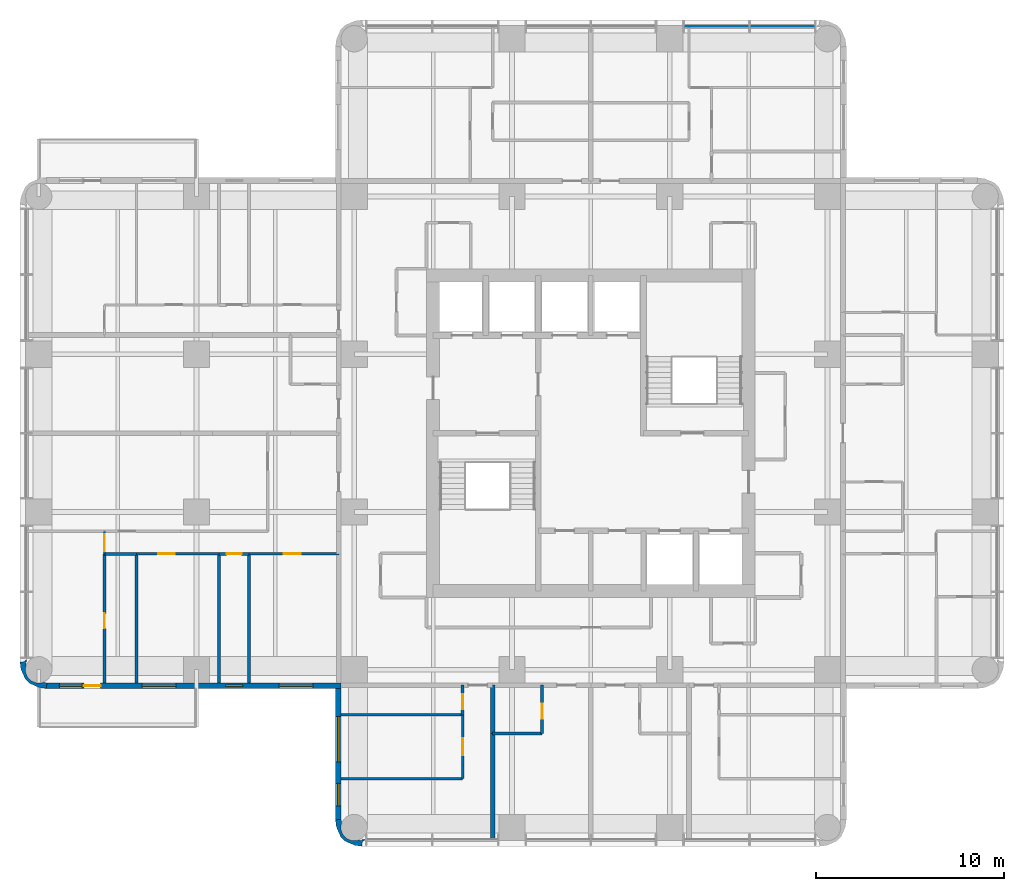
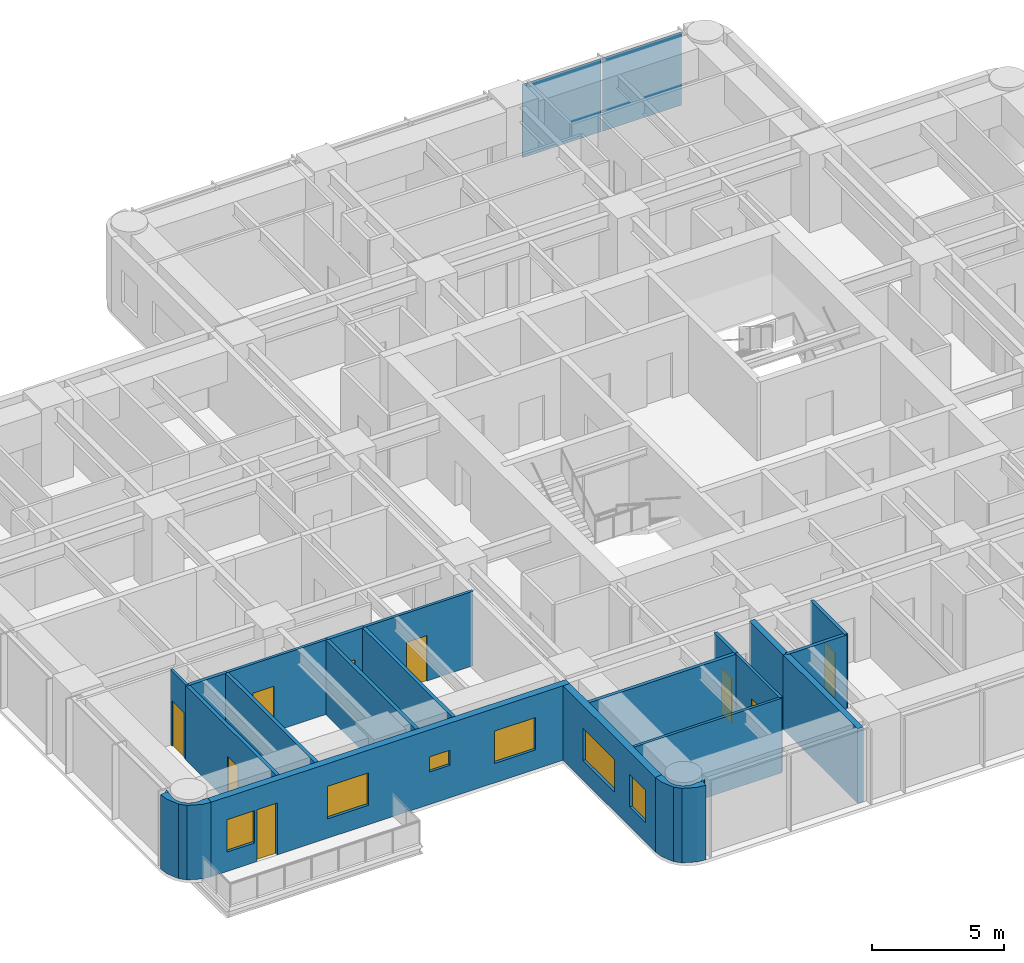
# One storey, part 4 of 11: 21 walls, 9 doors, 6 windows, 2 plates, 15 openings, 1 element without a shape of its own.
"""IFC4 building model written with IfcOpenShell, lengths in metres."""

from ifc_helpers import new_model, si_unit, direction, frame, frame_2d, origin, origin_2d, place, context, subcontext, project, spatial, polyline, rectangle, outline, extrude, material, layer, layer_set, type_object, element, fill, aggregate, save


model = new_model("IFC4")

# Units and contexts
model_context = context("Model", 3, precision=1e-05, world=origin(), true_north=direction((0.0, 1.0)))
body_context = subcontext(model_context, "Body", "Model", "MODEL_VIEW")
ifc_project = project(units=[si_unit("LENGTHUNIT", "METRE"), si_unit("AREAUNIT", "SQUARE_METRE"), si_unit("VOLUMEUNIT", "CUBIC_METRE"), si_unit("PLANEANGLEUNIT", "RADIAN"), si_unit("MASSUNIT", "GRAM", prefix="KILO")], contexts=[model_context])

# Site, building, storey
site_placement = place(None, origin())
site = spatial("IfcSite", under=ifc_project, at=site_placement, CompositionType="ELEMENT")
building_placement = place(site_placement, origin())
building = spatial("IfcBuilding", under=site, at=building_placement, Name="Torre Alcanfor", CompositionType="ELEMENT")
storey_placement = place(building_placement, frame((0.0, 0.0, 237.300048828125)))
storey = spatial("IfcBuildingStorey", under=building, at=storey_placement, Name="L62", CompositionType="ELEMENT", Elevation=237.300048828125)

# Curtain wall, plates
ifc_material_1 = material(Name="Aluminium and glass", Category="aluminium")
curtain_wall_type = type_object("IfcCurtainWallType", Name="CW-A unitised apartment glazing with vertical FIN", PredefinedType="NOTDEFINED", material=ifc_material_1)
curtain_wall_placement = place(storey_placement, origin())
curtain_wall = element("IfcCurtainWall", 1, at=curtain_wall_placement, inside=storey, type_object=curtain_wall_type, Name="Curtain wall CW-A L62 11", PredefinedType="NOTDEFINED")
ifc_material_2 = material(Name="Glass", Category="glass")
ifc_layer_1 = layer(ifc_material_2, 0.028076171875)
ifc_layer_set_1 = layer_set([ifc_layer_1], Name="CW-A clear double glazed unit")
plate_type = type_object("IfcPlateType", Name="CW-A clear double glazed unit", PredefinedType="CURTAIN_PANEL", material=ifc_layer_set_1)
plate_1_placement = place(storey_placement, frame((39.60107421875, 51.050048828125, 0.0), z_axis=(0.0, 0.0, 1.0), x_axis=(-1.0, 0.0, 0.0)))
plate_1 = element("IfcPlate", 2, at=plate_1_placement, type_object=plate_type, Name="CW-A panel 1.1.1", PredefinedType="CURTAIN_PANEL", context=body_context, shape_type="SweptSolid", body=[
    extrude(rectangle(XDim=3.444091796875, YDim=0.028076171875, at=origin_2d()), origin(), (0.0, 0.0, 1.0), 3.385009765625),
])
plate_2_placement = place(storey_placement, frame((36.092041015625, 51.050048828125, 0.0), z_axis=(0.0, 0.0, 1.0), x_axis=(-1.0, 0.0, 0.0)))
plate_2 = element("IfcPlate", 3, at=plate_2_placement, type_object=plate_type, Name="CW-A panel 1.2.1", PredefinedType="CURTAIN_PANEL", context=body_context, shape_type="SweptSolid", body=[
    extrude(rectangle(XDim=3.444091796875, YDim=0.028076171875, at=origin_2d()), origin(), (0.0, 0.0, 1.0), 3.385009765625),
])
aggregate(curtain_wall, [plate_1, plate_2])

# Wall
ifc_material_3 = material(Name="Gypsum board on steel studs", Category="steel")
ifc_layer_2 = layer(ifc_material_3, 0.1201171875)
ifc_layer_set_2 = layer_set([ifc_layer_2], Name="Apartment partition 120")
wall_type_1 = type_object("IfcWallType", Name="Apartment partition 120", PredefinedType="PARTITIONING", material=ifc_layer_set_2)
wall_1_placement = place(storey_placement, frame((16.10009765625, 11.0, 0.0), z_axis=(0.0, 0.0, 1.0), x_axis=(1.0, 0.0, 0.0)))
element("IfcWall", 4, at=wall_1_placement, inside=storey, type_object=wall_type_1, Name="Partition L62-S2B-LIVING / L62-S2B-MASTER", PredefinedType="PARTITIONING", context=body_context, shape_type="SweptSolid", body=[
    extrude(rectangle(XDim=6.470947265625, YDim=0.1201171875, at=frame_2d((3.2353515625, 0.0))), origin(), (0.0, 0.0, 1.0), 3.449951171875),
])

# Wall, opening, door
wall_2_placement = place(storey_placement, frame((22.571044921875, 11.0, 0.0), z_axis=(0.0, 0.0, 1.0), x_axis=(0.0, 1.0, 0.0)))
wall_2 = element("IfcWall", 5, at=wall_2_placement, inside=storey, type_object=wall_type_1, Name="Partition L62-S2B-LIVING / L62-S2B-MASTER", PredefinedType="PARTITIONING", context=body_context, shape_type="SweptSolid", body=[
    extrude(rectangle(XDim=3.39990234375, YDim=0.1201171875, at=frame_2d((1.699951171875, 0.0))), origin(), (0.0, 0.0, 1.0), 3.449951171875),
])
opening_1_placement = place(wall_2_placement, frame((1.25, 0.0, 0.0)))
opening_1 = element("IfcOpeningElement", 6, at=opening_1_placement, cuts=wall_2, Name="Opening D-R1", PredefinedType="OPENING", context=body_context, shape_type="SweptSolid", body=[
    extrude(rectangle(XDim=0.89990234375, YDim=2.10009765625, at=frame_2d((0.449951171875, 1.050048828125))), frame((0.0, 0.070068359375, 0.0), z_axis=(0.0, -1.0, 0.0), x_axis=(1.0, 0.0, 0.0)), (0.0, 0.0, 1.0), 0.14013671875),
])
ifc_material_4 = material(Name="Timber", Category="wood")
door_type_1 = type_object("IfcDoorType", Name="Internal door 900x2100", OperationType="SINGLE_SWING_LEFT", PredefinedType="DOOR", material=ifc_material_4)
door_1_placement = place(opening_1_placement, origin())
door_1 = element("IfcDoor", 7, at=door_1_placement, inside=storey, type_object=door_type_1, Name="Door L62-S2B master", OperationType="SINGLE_SWING_LEFT", OverallHeight=2.10009765625, OverallWidth=0.89990234375, PredefinedType="DOOR", context=body_context, shape_type="SweptSolid", body=[
    extrude(rectangle(XDim=0.89990234375, YDim=2.10009765625, at=frame_2d((0.449951171875, 1.050048828125))), frame((0.0, 0.02490234375, 0.0), z_axis=(0.0, -1.0, 0.0), x_axis=(1.0, 0.0, 0.0)), (0.0, 0.0, 1.0), 0.050048828125),
])
fill(opening_1, door_1)

wall_3_placement = place(storey_placement, frame((11.199951171875, 22.970947265625, 0.0), z_axis=(0.0, 0.0, 1.0), x_axis=(1.0, 0.0, 0.0)))
wall_3 = element("IfcWall", 8, at=wall_3_placement, inside=storey, type_object=wall_type_1, Name="Partition L62-W1-HALL / L62-W1-BED3", PredefinedType="PARTITIONING", context=body_context, shape_type="SweptSolid", body=[
    extrude(rectangle(XDim=4.775146484375, YDim=0.1201171875, at=frame_2d((2.3876953125, 0.0))), origin(), (0.0, 0.0, 1.0), 3.449951171875),
])
opening_2_placement = place(wall_3_placement, frame((1.85009765625, 0.0, 0.0)))
opening_2 = element("IfcOpeningElement", 9, at=opening_2_placement, cuts=wall_3, Name="Opening D-R1", PredefinedType="OPENING", context=body_context, shape_type="SweptSolid", body=[
    extrude(rectangle(XDim=0.89990234375, YDim=2.10009765625, at=frame_2d((0.449951171875, 1.050048828125))), frame((0.0, 0.070068359375, 0.0), z_axis=(0.0, -1.0, 0.0), x_axis=(1.0, 0.0, 0.0)), (0.0, 0.0, 1.0), 0.14013671875),
])
door_2_placement = place(opening_2_placement, frame((0.89990234375, 0.0, 0.0), z_axis=(0.0, 0.0, 1.0), x_axis=(-1.0, 0.0, 0.0)))
door_2 = element("IfcDoor", 10, at=door_2_placement, inside=storey, type_object=door_type_1, Name="Door L62-W1 bed3", OperationType="SINGLE_SWING_RIGHT", OverallHeight=2.10009765625, OverallWidth=0.89990234375, PredefinedType="DOOR", context=body_context, shape_type="SweptSolid", body=[
    extrude(rectangle(XDim=0.89990234375, YDim=2.10009765625, at=frame_2d((0.449951171875, 1.050048828125))), frame((0.0, 0.025146484375, 0.0), z_axis=(0.0, -1.0, 0.0), x_axis=(1.0, 0.0, 0.0)), (0.0, 0.0, 1.0), 0.050048828125),
])
fill(opening_2, door_2)

wall_4_placement = place(storey_placement, frame((5.199951171875, 22.970947265625, 0.0), z_axis=(0.0, 0.0, 1.0), x_axis=(1.0, 0.0, 0.0)))
wall_4 = element("IfcWall", 11, at=wall_4_placement, inside=storey, type_object=wall_type_1, Name="Partition L62-W1-HALL / L62-W1-BED2", PredefinedType="PARTITIONING", context=body_context, shape_type="SweptSolid", body=[
    extrude(rectangle(XDim=4.400146484375, YDim=0.1201171875, at=frame_2d((2.2001953125, 0.0))), origin(), (0.0, 0.0, 1.0), 3.449951171875),
])
opening_3_placement = place(wall_4_placement, frame((1.14990234375, 0.0, 0.0)))
opening_3 = element("IfcOpeningElement", 12, at=opening_3_placement, cuts=wall_4, Name="Opening D-R1", PredefinedType="OPENING", context=body_context, shape_type="SweptSolid", body=[
    extrude(rectangle(XDim=0.89990234375, YDim=2.10009765625, at=frame_2d((0.449951171875, 1.050048828125))), frame((0.0, 0.070068359375, 0.0), z_axis=(0.0, -1.0, 0.0), x_axis=(1.0, 0.0, 0.0)), (0.0, 0.0, 1.0), 0.14013671875),
])
door_3_placement = place(opening_3_placement, frame((0.89990234375, 0.0, 0.0), z_axis=(0.0, 0.0, 1.0), x_axis=(-1.0, 0.0, 0.0)))
door_3 = element("IfcDoor", 13, at=door_3_placement, inside=storey, type_object=door_type_1, Name="Door L62-W1 bed2", OperationType="SINGLE_SWING_RIGHT", OverallHeight=2.10009765625, OverallWidth=0.89990234375, PredefinedType="DOOR", context=body_context, shape_type="SweptSolid", body=[
    extrude(rectangle(XDim=0.89990234375, YDim=2.10009765625, at=frame_2d((0.449951171875, 1.050048828125))), frame((0.0, 0.025146484375, 0.0), z_axis=(0.0, -1.0, 0.0), x_axis=(1.0, 0.0, 0.0)), (0.0, 0.0, 1.0), 0.050048828125),
])
fill(opening_3, door_3)

wall_5_placement = place(storey_placement, frame((3.5, 24.1708984375, 0.0), z_axis=(0.0, 0.0, 1.0), x_axis=(0.0, -1.0, 0.0)))
wall_5 = element("IfcWall", 14, at=wall_5_placement, inside=storey, type_object=wall_type_1, Name="Partition L62-W1-HALL / L62-W1-MASTER", PredefinedType="PARTITIONING", context=body_context, shape_type="SweptSolid", body=[
    extrude(rectangle(XDim=1.199951171875, YDim=0.1201171875, at=frame_2d((0.60009765625, 0.0))), origin(), (0.0, 0.0, 1.0), 3.449951171875),
])
opening_4_placement = place(wall_5_placement, frame((0.15087890625, 0.0, 0.0)))
opening_4 = element("IfcOpeningElement", 15, at=opening_4_placement, cuts=wall_5, Name="Opening D-R1", PredefinedType="OPENING", context=body_context, shape_type="SweptSolid", body=[
    extrude(rectangle(XDim=0.89990234375, YDim=2.10009765625, at=frame_2d((0.449951171875, 1.050048828125))), frame((0.0, 0.070068359375, 0.0), z_axis=(0.0, -1.0, 0.0), x_axis=(1.0, 0.0, 0.0)), (0.0, 0.0, 1.0), 0.14013671875),
])
door_4_placement = place(opening_4_placement, frame((0.89990234375, 0.0, 0.0), z_axis=(0.0, 0.0, 1.0), x_axis=(-1.0, 0.0, 0.0)))
door_4 = element("IfcDoor", 16, at=door_4_placement, inside=storey, type_object=door_type_1, Name="Door L62-W1 master", OperationType="SINGLE_SWING_RIGHT", OverallHeight=2.10009765625, OverallWidth=0.89990234375, PredefinedType="DOOR", context=body_context, shape_type="SweptSolid", body=[
    extrude(rectangle(XDim=0.89990234375, YDim=2.10009765625, at=frame_2d((0.449951171875, 1.050048828125))), frame((0.0, 0.025146484375, 0.0), z_axis=(0.0, -1.0, 0.0), x_axis=(1.0, 0.0, 0.0)), (0.0, 0.0, 1.0), 0.050048828125),
])
fill(opening_4, door_4)

# Wall, openings, door, windows
ifc_material_5 = material(Name="Limestone cladding", Category="masonry")
ifc_layer_3 = layer(ifc_material_5, 0.0400390625, Name="Facing")
ifc_material_6 = material(Name="Ventilated air cavity")
ifc_layer_4 = layer(ifc_material_6, 0.02001953125, ventilated=True, Name="Ventilated joint")
ifc_material_7 = material(Name="Mineral wool insulation", Category="insulation")
ifc_layer_5 = layer(ifc_material_7, 0.10009765625, Name="Insulation")
ifc_material_8 = material(Name="Concrete f'c 35 MPa", Category="concrete")
ifc_layer_6 = layer(ifc_material_8, 0.139892578125, Name="Backing")
ifc_layer_set_3 = layer_set([ifc_layer_3, ifc_layer_4, ifc_layer_5, ifc_layer_6], Name="External wall stone-clad 300")
wall_type_2 = type_object("IfcWallType", Name="External wall stone-clad 300", PredefinedType="SOLIDWALL", material=ifc_layer_set_3)
wall_6_placement = place(storey_placement, frame((0.39990234375, 15.949951171875, 0.0), z_axis=(0.0, 0.0, 1.0), x_axis=(1.0, 0.0, 0.0)))
wall_6 = element("IfcWall", 17, at=wall_6_placement, inside=storey, type_object=wall_type_2, Name="External wall L62 3", PredefinedType="SOLIDWALL", context=body_context, shape_type="SweptSolid", body=[
    extrude(rectangle(XDim=15.7001953125, YDim=0.300048828125, at=frame_2d((7.85009765625, 0.0))), origin(), (0.0, 0.0, 1.0), 3.449951171875),
])
opening_5_placement = place(wall_6_placement, frame((12.39990234375, 0.0, 0.89990234375)))
opening_5 = element("IfcOpeningElement", 18, at=opening_5_placement, cuts=wall_6, Name="Opening W2", PredefinedType="OPENING", context=body_context, shape_type="SweptSolid", body=[
    extrude(rectangle(XDim=1.800048828125, YDim=1.5, at=frame_2d((0.89990234375, 0.75))), frame((0.0, 0.159912109375, 0.0), z_axis=(0.0, -1.0, 0.0), x_axis=(1.0, 0.0, 0.0)), (0.0, 0.0, 1.0), 0.320068359375),
])
opening_6_placement = place(wall_6_placement, frame((9.550048828125, 0.0, 1.5)))
opening_6 = element("IfcOpeningElement", 19, at=opening_6_placement, cuts=wall_6, Name="Opening W3", PredefinedType="OPENING", context=body_context, shape_type="SweptSolid", body=[
    extrude(rectangle(XDim=0.89990234375, YDim=0.699951171875, at=frame_2d((0.449951171875, 0.35009765625))), frame((0.0, 0.159912109375, 0.0), z_axis=(0.0, -1.0, 0.0), x_axis=(1.0, 0.0, 0.0)), (0.0, 0.0, 1.0), 0.320068359375),
])
opening_7_placement = place(wall_6_placement, frame((5.10009765625, 0.0, 0.89990234375)))
opening_7 = element("IfcOpeningElement", 20, at=opening_7_placement, cuts=wall_6, Name="Opening W2", PredefinedType="OPENING", context=body_context, shape_type="SweptSolid", body=[
    extrude(rectangle(XDim=1.800048828125, YDim=1.5, at=frame_2d((0.89990234375, 0.75))), frame((0.0, 0.159912109375, 0.0), z_axis=(0.0, -1.0, 0.0), x_axis=(1.0, 0.0, 0.0)), (0.0, 0.0, 1.0), 0.320068359375),
])
opening_8_placement = place(wall_6_placement, frame((2.0, 0.0, 0.0)))
opening_8 = element("IfcOpeningElement", 21, at=opening_8_placement, cuts=wall_6, Name="Opening D-B1", PredefinedType="OPENING", context=body_context, shape_type="SweptSolid", body=[
    extrude(rectangle(XDim=0.89990234375, YDim=2.39990234375, at=frame_2d((0.449951171875, 1.199951171875))), frame((0.0, 0.159912109375, 0.0), z_axis=(0.0, -1.0, 0.0), x_axis=(1.0, 0.0, 0.0)), (0.0, 0.0, 1.0), 0.320068359375),
])
opening_9_placement = place(wall_6_placement, frame((0.699951171875, 0.0, 0.89990234375)))
opening_9 = element("IfcOpeningElement", 22, at=opening_9_placement, cuts=wall_6, Name="Opening W4", PredefinedType="OPENING", context=body_context, shape_type="SweptSolid", body=[
    extrude(rectangle(XDim=1.199951171875, YDim=1.5, at=frame_2d((0.60009765625, 0.75))), frame((0.0, 0.159912109375, 0.0), z_axis=(0.0, -1.0, 0.0), x_axis=(1.0, 0.0, 0.0)), (0.0, 0.0, 1.0), 0.320068359375),
])
ifc_material_9 = material(Name="Aluminium and glass", Category="aluminium")
door_type_2 = type_object("IfcDoorType", Name="Balcony door glazed 900x2400", OperationType="SINGLE_SWING_LEFT", PredefinedType="DOOR", material=ifc_material_9)
door_5_placement = place(opening_8_placement, origin())
door_5 = element("IfcDoor", 23, at=door_5_placement, inside=storey, type_object=door_type_2, Name="Balcony door L62-W1", OperationType="SINGLE_SWING_RIGHT", OverallHeight=2.39990234375, OverallWidth=0.89990234375, PredefinedType="DOOR", context=body_context, shape_type="SweptSolid", body=[
    extrude(rectangle(XDim=0.89990234375, YDim=2.39990234375, at=frame_2d((0.449951171875, 1.199951171875))), frame((0.0, 0.02490234375, 0.0), z_axis=(0.0, -1.0, 0.0), x_axis=(1.0, 0.0, 0.0)), (0.0, 0.0, 1.0), 0.050048828125),
])
fill(opening_8, door_5)
ifc_material_10 = material(Name="Aluminium frame with clear double glazing", Category="aluminium")
window_type_1 = type_object("IfcWindowType", Name="Window bathroom 900x700", PartitioningType="SINGLE_PANEL", PredefinedType="WINDOW", material=ifc_material_10)
window_1_placement = place(opening_6_placement, origin())
window_1 = element("IfcWindow", 24, at=window_1_placement, inside=storey, type_object=window_type_1, Name="Window W3 L62-W1", OverallHeight=0.699951171875, OverallWidth=0.89990234375, PartitioningType="SINGLE_PANEL", PredefinedType="WINDOW", context=body_context, shape_type="SweptSolid", body=[
    extrude(rectangle(XDim=0.89990234375, YDim=0.699951171875, at=frame_2d((0.449951171875, 0.35009765625))), frame((0.0, 0.030029296875, 0.0), z_axis=(0.0, -1.0, 0.0), x_axis=(1.0, 0.0, 0.0)), (0.0, 0.0, 1.0), 0.06005859375),
])
fill(opening_6, window_1)
ifc_material_11 = material(Name="Aluminium frame with clear double glazing", Category="aluminium")
window_type_2 = type_object("IfcWindowType", Name="Window bedroom 1200x1500", PartitioningType="SINGLE_PANEL", PredefinedType="WINDOW", material=ifc_material_11)
window_2_placement = place(opening_9_placement, origin())
window_2 = element("IfcWindow", 25, at=window_2_placement, inside=storey, type_object=window_type_2, Name="Window W4 L62-W1", OverallHeight=1.5, OverallWidth=1.199951171875, PartitioningType="SINGLE_PANEL", PredefinedType="WINDOW", context=body_context, shape_type="SweptSolid", body=[
    extrude(rectangle(XDim=1.199951171875, YDim=1.5, at=frame_2d((0.60009765625, 0.75))), frame((0.0, 0.030029296875, 0.0), z_axis=(0.0, -1.0, 0.0), x_axis=(1.0, 0.0, 0.0)), (0.0, 0.0, 1.0), 0.06005859375),
])
fill(opening_9, window_2)
ifc_material_12 = material(Name="Aluminium frame with clear double glazing", Category="aluminium")
window_type_3 = type_object("IfcWindowType", Name="Window bedroom 1800x1500", PartitioningType="SINGLE_PANEL", PredefinedType="WINDOW", material=ifc_material_12)
window_3_placement = place(opening_5_placement, origin())
window_3 = element("IfcWindow", 26, at=window_3_placement, inside=storey, type_object=window_type_3, Name="Window W2 L62-W1", OverallHeight=1.5, OverallWidth=1.800048828125, PartitioningType="SINGLE_PANEL", PredefinedType="WINDOW", context=body_context, shape_type="SweptSolid", body=[
    extrude(rectangle(XDim=1.800048828125, YDim=1.5, at=frame_2d((0.89990234375, 0.75))), frame((0.0, 0.030029296875, 0.0), z_axis=(0.0, -1.0, 0.0), x_axis=(1.0, 0.0, 0.0)), (0.0, 0.0, 1.0), 0.06005859375),
])
fill(opening_5, window_3)
window_4_placement = place(opening_7_placement, origin())
window_4 = element("IfcWindow", 27, at=window_4_placement, inside=storey, type_object=window_type_3, Name="Window W2 L62-W1", OverallHeight=1.5, OverallWidth=1.800048828125, PartitioningType="SINGLE_PANEL", PredefinedType="WINDOW", context=body_context, shape_type="SweptSolid", body=[
    extrude(rectangle(XDim=1.800048828125, YDim=1.5, at=frame_2d((0.89990234375, 0.75))), frame((0.0, 0.030029296875, 0.0), z_axis=(0.0, -1.0, 0.0), x_axis=(1.0, 0.0, 0.0)), (0.0, 0.0, 1.0), 0.06005859375),
])
fill(opening_7, window_4)

# Wall, openings, windows
wall_7_placement = place(storey_placement, frame((15.949951171875, 15.800048828125, 0.0), z_axis=(0.0, 0.0, 1.0), x_axis=(0.0, -1.0, 0.0)))
wall_7 = element("IfcWall", 28, at=wall_7_placement, inside=storey, type_object=wall_type_2, Name="External wall L62 4", PredefinedType="SOLIDWALL", context=body_context, shape_type="SweptSolid", body=[
    extrude(rectangle(XDim=7.0, YDim=0.300048828125, at=frame_2d((3.5, 0.0))), origin(), (0.0, 0.0, 1.0), 3.449951171875),
])
opening_10_placement = place(wall_7_placement, frame((1.5, 0.0, 0.89990234375)))
opening_10 = element("IfcOpeningElement", 29, at=opening_10_placement, cuts=wall_7, Name="Opening W1", PredefinedType="OPENING", context=body_context, shape_type="SweptSolid", body=[
    extrude(rectangle(XDim=2.39990234375, YDim=1.5, at=frame_2d((1.199951171875, 0.75))), frame((0.0, 0.159912109375, 0.0), z_axis=(0.0, -1.0, 0.0), x_axis=(1.0, 0.0, 0.0)), (0.0, 0.0, 1.0), 0.320068359375),
])
opening_11_placement = place(wall_7_placement, frame((5.050048828125, 0.0, 0.89990234375)))
opening_11 = element("IfcOpeningElement", 30, at=opening_11_placement, cuts=wall_7, Name="Opening W4", PredefinedType="OPENING", context=body_context, shape_type="SweptSolid", body=[
    extrude(rectangle(XDim=1.199951171875, YDim=1.5, at=frame_2d((0.60009765625, 0.75))), frame((0.0, 0.159912109375, 0.0), z_axis=(0.0, -1.0, 0.0), x_axis=(1.0, 0.0, 0.0)), (0.0, 0.0, 1.0), 0.320068359375),
])
window_5_placement = place(opening_11_placement, origin())
window_5 = element("IfcWindow", 31, at=window_5_placement, inside=storey, type_object=window_type_2, Name="Window W4 L62-S2", OverallHeight=1.5, OverallWidth=1.199951171875, PartitioningType="SINGLE_PANEL", PredefinedType="WINDOW", context=body_context, shape_type="SweptSolid", body=[
    extrude(rectangle(XDim=1.199951171875, YDim=1.5, at=frame_2d((0.60009765625, 0.75))), frame((0.0, 0.030029296875, 0.0), z_axis=(0.0, -1.0, 0.0), x_axis=(1.0, 0.0, 0.0)), (0.0, 0.0, 1.0), 0.06005859375),
])
fill(opening_11, window_5)
ifc_material_13 = material(Name="Aluminium frame with clear double glazing", Category="aluminium")
window_type_4 = type_object("IfcWindowType", Name="Window bedroom 2400x1500", PartitioningType="SINGLE_PANEL", PredefinedType="WINDOW", material=ifc_material_13)
window_6_placement = place(opening_10_placement, origin())
window_6 = element("IfcWindow", 32, at=window_6_placement, inside=storey, type_object=window_type_4, Name="Window W1 L62-S2", OverallHeight=1.5, OverallWidth=2.39990234375, PartitioningType="SINGLE_PANEL", PredefinedType="WINDOW", context=body_context, shape_type="SweptSolid", body=[
    extrude(rectangle(XDim=2.39990234375, YDim=1.5, at=frame_2d((1.199951171875, 0.75))), frame((0.0, 0.030029296875, 0.0), z_axis=(0.0, -1.0, 0.0), x_axis=(1.0, 0.0, 0.0)), (0.0, 0.0, 1.0), 0.06005859375),
])
fill(opening_10, window_6)

# Walls
ifc_material_14 = material(Name="Concrete block masonry, hollow blocks NMX-C-404 9 MPa", Category="masonry")
ifc_layer_7 = layer(ifc_material_14, 0.25)
ifc_layer_set_4 = layer_set([ifc_layer_7], Name="Party wall 250 EI 60")
wall_type_3 = type_object("IfcWallType", Name="Party wall 250 EI 60", PredefinedType="PARTITIONING", material=ifc_layer_set_4)
wall_8_placement = place(storey_placement, frame((24.1708984375, 7.75, 0.0), z_axis=(0.0, 0.0, 1.0), x_axis=(0.0, 1.0, 0.0)))
element("IfcWall", 33, at=wall_8_placement, inside=storey, type_object=wall_type_3, Name="Partition L62-S2A-STUDIO / L62-S2B-LIVING", PredefinedType="PARTITIONING", context=body_context, shape_type="SweptSolid", body=[
    extrude(rectangle(XDim=5.64990234375, YDim=0.25, at=frame_2d((2.824951171875, 0.0))), origin(), (0.0, 0.0, 1.0), 3.449951171875),
])
wall_9_placement = place(storey_placement, frame((24.1708984375, 13.39990234375, 0.0), z_axis=(0.0, 0.0, 1.0), x_axis=(0.0, 1.0, 0.0)))
element("IfcWall", 34, at=wall_9_placement, inside=storey, type_object=wall_type_3, Name="Partition L62-S2A-BATH / L62-S2B-LIVING", PredefinedType="PARTITIONING", context=body_context, shape_type="SweptSolid", body=[
    extrude(rectangle(XDim=2.5751953125, YDim=0.25, at=frame_2d((1.28759765625, 0.0))), origin(), (0.0, 0.0, 1.0), 3.449951171875),
])
ifc_layer_8 = layer(ifc_material_5, 0.0400390625, Name="Facing")
ifc_layer_9 = layer(ifc_material_6, 0.02001953125, ventilated=True, Name="Ventilated joint")
ifc_layer_10 = layer(ifc_material_7, 0.10009765625, Name="Insulation")
ifc_layer_11 = layer(ifc_material_8, 0.139892578125, Name="Backing")
ifc_layer_set_5 = layer_set([ifc_layer_8, ifc_layer_9, ifc_layer_10, ifc_layer_11], Name="Rounded corner pier stone-clad 300")
wall_type_4 = type_object("IfcWallType", Name="Rounded corner pier stone-clad 300", PredefinedType="SOLIDWALL", material=ifc_layer_set_5)
wall_10_placement = place(storey_placement, frame((-0.58815184, 17.312325495, 0.0), z_axis=(0.0, 0.0, 1.0), x_axis=(-0.898030234854, -0.439933741929, 0.0)))
element("IfcWall", 35, at=wall_10_placement, inside=storey, type_object=wall_type_4, Name="Corner pier L62 14", PredefinedType="SOLIDWALL", context=body_context, shape_type="SweptSolid", body=[
    extrude(outline(polyline([(-0.22200099779214466, 1.7927485446039917), (-0.3895203988851006, 1.5406953482066268), (-0.3717615001977944, 1.5319954866108696), (-0.1946893371505769, 1.4145296087243977), (-0.1196378565013686, 1.4095707271395082), (0.13074069042336733, 1.2869134192092004), (0.31532782000916126, 1.0776826467218847), (0.4055826710323692, 0.8140749979758074), (0.38797260783771476, 0.5356152877148042), (0.26531529990740693, 0.28523674079006817), (0.2089410932617622, 0.23564484500123395), (0.1476439801012907, 0.052805298357783616), (0.1048910758540722, 0.07374940960682917), (0.03174779503048235, -0.07555688676422617), (0.13758283616273645, -0.03932073839803114), (0.18192415361672865, -0.0004176855725517292), (0.4192893563182328, -0.08027036234769044), (0.5359265089611867, 0.2660343125058281), (0.55884082549336, 0.63079452952945), (0.5546362328412097, 0.6510690852705474), (0.5662389797265355, 0.8356887018617073), (0.45562482097298596, 1.1592927954286232), (0.3331931039366845, 1.297838781078767), (0.32408874086174466, 1.3164357373584665), (0.08241545456328281, 1.5906055834666009), (-0.22200099779214466, 1.7927485446039917)])), origin(), (0.0, 0.0, 1.0), 3.449951171875),
])
wall_11_placement = place(storey_placement, frame((16.075788181, 8.689684728, 0.0), z_axis=(0.0, 0.0, 1.0), x_axis=(-0.439933741929, -0.898030234854, 0.0)))
element("IfcWall", 36, at=wall_11_placement, inside=storey, type_object=wall_type_4, Name="Corner pier L62 15", PredefinedType="SOLIDWALL", context=body_context, shape_type="SweptSolid", body=[
    extrude(outline(polyline([(0.6637063463257242, 1.5769511452868783), (0.42612189796141386, 1.4969910628130267), (0.381999826170228, 1.536001521337219), (0.2761647850379738, 1.5722376697034142), (0.3493080658615637, 1.4229313733323588), (0.391841724445976, 1.4437680788826912), (0.45335808326925375, 1.261035937937954), (0.5097322899148984, 1.2114440421491197), (0.6323895978452062, 0.9610654952243838), (0.6499996610398608, 0.6826057849633805), (0.5595255643538466, 0.4188907305185901), (0.37515768043085884, 0.20976736372998736), (0.1247791335061229, 0.08711005579967954), (0.04972765285691469, 0.0821511742147902), (-0.1273445101903028, -0.035314703671681595), (-0.14532265454041515, -0.04412197096615204), (0.02219674655254064, -0.2961751673635169), (0.3266131989079681, -0.09403220622612604), (0.56828648520643, 0.18013763988200826), (0.5776100939441761, 0.19884200186042086), (0.6998225653176713, 0.33728058181185155), (0.810655969734027, 0.6609920810774806), (0.7990532228487013, 0.8456116976686404), (0.8030385698380452, 0.8657788477110249), (0.7801242533058719, 1.2305390647346468), (0.6637063463257242, 1.5769511452868783)])), origin(), (0.0, 0.0, 1.0), 3.449951171875),
])
ifc_material_15 = material(Name="Cement board on steel studs", Category="steel")
ifc_layer_12 = layer(ifc_material_15, 0.14990234375)
ifc_layer_set_6 = layer_set([ifc_layer_12], Name="Wet area partition 150")
wall_type_5 = type_object("IfcWallType", Name="Wet area partition 150", PredefinedType="PARTITIONING", material=ifc_layer_set_6)
wall_12_placement = place(storey_placement, frame((24.1708984375, 13.39990234375, 0.0), z_axis=(0.0, 0.0, 1.0), x_axis=(1.0, 0.0, 0.0)))
element("IfcWall", 37, at=wall_12_placement, inside=storey, type_object=wall_type_5, Name="Partition L62-S2A-STUDIO / L62-S2A-BATH", PredefinedType="PARTITIONING", context=body_context, shape_type="SweptSolid", body=[
    extrude(rectangle(XDim=2.629150390625, YDim=0.14990234375, at=frame_2d((1.314453125, 0.0))), origin(), (0.0, 0.0, 1.0), 3.449951171875),
])

# Wall, opening, door
wall_13_placement = place(storey_placement, frame((26.800048828125, 13.39990234375, 0.0), z_axis=(0.0, 0.0, 1.0), x_axis=(0.0, 1.0, 0.0)))
wall_13 = element("IfcWall", 38, at=wall_13_placement, inside=storey, type_object=wall_type_5, Name="Partition L62-S2A-STUDIO / L62-S2A-BATH", PredefinedType="PARTITIONING", context=body_context, shape_type="SweptSolid", body=[
    extrude(rectangle(XDim=2.5751953125, YDim=0.14990234375, at=frame_2d((1.28759765625, 0.0))), origin(), (0.0, 0.0, 1.0), 3.449951171875),
])
opening_12_placement = place(wall_13_placement, frame((0.800048828125, 0.0, 0.0)))
opening_12 = element("IfcOpeningElement", 39, at=opening_12_placement, cuts=wall_13, Name="Opening D-R2", PredefinedType="OPENING", context=body_context, shape_type="SweptSolid", body=[
    extrude(rectangle(XDim=0.800048828125, YDim=2.10009765625, at=frame_2d((0.39990234375, 1.050048828125))), frame((0.0, 0.0849609375, 0.0), z_axis=(0.0, -1.0, 0.0), x_axis=(1.0, 0.0, 0.0)), (0.0, 0.0, 1.0), 0.169921875),
])
ifc_material_16 = material(Name="Timber", Category="wood")
door_type_3 = type_object("IfcDoorType", Name="Bathroom door 800x2100", OperationType="SINGLE_SWING_LEFT", PredefinedType="DOOR", material=ifc_material_16)
door_6_placement = place(opening_12_placement, origin())
door_6 = element("IfcDoor", 40, at=door_6_placement, inside=storey, type_object=door_type_3, Name="Door L62-S2A bath", OperationType="SINGLE_SWING_LEFT", OverallHeight=2.10009765625, OverallWidth=0.800048828125, PredefinedType="DOOR", context=body_context, shape_type="SweptSolid", body=[
    extrude(rectangle(XDim=0.800048828125, YDim=2.10009765625, at=frame_2d((0.39990234375, 1.050048828125))), frame((0.0, 0.02490234375, 0.0), z_axis=(0.0, -1.0, 0.0), x_axis=(1.0, 0.0, 0.0)), (0.0, 0.0, 1.0), 0.050048828125),
])
fill(opening_12, door_6)

wall_14_placement = place(storey_placement, frame((22.571044921875, 14.39990234375, 0.0), z_axis=(0.0, 0.0, 1.0), x_axis=(0.0, 1.0, 0.0)))
wall_14 = element("IfcWall", 41, at=wall_14_placement, inside=storey, type_object=wall_type_5, Name="Partition L62-S2B-LIVING / L62-S2B-BATH", PredefinedType="PARTITIONING", context=body_context, shape_type="SweptSolid", body=[
    extrude(rectangle(XDim=1.5751953125, YDim=0.14990234375, at=frame_2d((0.78759765625, 0.0))), origin(), (0.0, 0.0, 1.0), 3.449951171875),
])
opening_13_placement = place(wall_14_placement, frame((0.300048828125, 0.0, 0.0)))
opening_13 = element("IfcOpeningElement", 42, at=opening_13_placement, cuts=wall_14, Name="Opening D-R2", PredefinedType="OPENING", context=body_context, shape_type="SweptSolid", body=[
    extrude(rectangle(XDim=0.800048828125, YDim=2.10009765625, at=frame_2d((0.39990234375, 1.050048828125))), frame((0.0, 0.0849609375, 0.0), z_axis=(0.0, -1.0, 0.0), x_axis=(1.0, 0.0, 0.0)), (0.0, 0.0, 1.0), 0.169921875),
])
door_7_placement = place(opening_13_placement, origin())
door_7 = element("IfcDoor", 43, at=door_7_placement, inside=storey, type_object=door_type_3, Name="Door L62-S2B bath", OperationType="SINGLE_SWING_LEFT", OverallHeight=2.10009765625, OverallWidth=0.800048828125, PredefinedType="DOOR", context=body_context, shape_type="SweptSolid", body=[
    extrude(rectangle(XDim=0.800048828125, YDim=2.10009765625, at=frame_2d((0.39990234375, 1.050048828125))), frame((0.0, 0.02490234375, 0.0), z_axis=(0.0, -1.0, 0.0), x_axis=(1.0, 0.0, 0.0)), (0.0, 0.0, 1.0), 0.050048828125),
])
fill(opening_13, door_7)

# Wall
wall_15_placement = place(storey_placement, frame((22.571044921875, 14.39990234375, 0.0), z_axis=(0.0, 0.0, 1.0), x_axis=(-1.0, 0.0, 0.0)))
element("IfcWall", 44, at=wall_15_placement, inside=storey, type_object=wall_type_5, Name="Partition L62-S2B-BATH / L62-S2B-MASTER", PredefinedType="PARTITIONING", context=body_context, shape_type="SweptSolid", body=[
    extrude(rectangle(XDim=6.470947265625, YDim=0.14990234375, at=frame_2d((3.2353515625, 0.0))), origin(), (0.0, 0.0, 1.0), 3.449951171875),
])

# Wall, opening, door
wall_16_placement = place(storey_placement, frame((9.60009765625, 22.970947265625, 0.0), z_axis=(0.0, 0.0, 1.0), x_axis=(1.0, 0.0, 0.0)))
wall_16 = element("IfcWall", 45, at=wall_16_placement, inside=storey, type_object=wall_type_5, Name="Partition L62-W1-HALL / L62-W1-BATH1", PredefinedType="PARTITIONING", context=body_context, shape_type="SweptSolid", body=[
    extrude(rectangle(XDim=1.599853515625, YDim=0.14990234375, at=frame_2d((0.7998046875, 0.0))), origin(), (0.0, 0.0, 1.0), 3.449951171875),
])
opening_14_placement = place(wall_16_placement, frame((0.39990234375, 0.0, 0.0)))
opening_14 = element("IfcOpeningElement", 46, at=opening_14_placement, cuts=wall_16, Name="Opening D-R2", PredefinedType="OPENING", context=body_context, shape_type="SweptSolid", body=[
    extrude(rectangle(XDim=0.800048828125, YDim=2.10009765625, at=frame_2d((0.39990234375, 1.050048828125))), frame((0.0, 0.0849609375, 0.0), z_axis=(0.0, -1.0, 0.0), x_axis=(1.0, 0.0, 0.0)), (0.0, 0.0, 1.0), 0.169921875),
])
door_8_placement = place(opening_14_placement, frame((0.800048828125, 0.0, 0.0), z_axis=(0.0, 0.0, 1.0), x_axis=(-1.0, 0.0, 0.0)))
door_8 = element("IfcDoor", 47, at=door_8_placement, inside=storey, type_object=door_type_3, Name="Door L62-W1 bath1", OperationType="SINGLE_SWING_RIGHT", OverallHeight=2.10009765625, OverallWidth=0.800048828125, PredefinedType="DOOR", context=body_context, shape_type="SweptSolid", body=[
    extrude(rectangle(XDim=0.800048828125, YDim=2.10009765625, at=frame_2d((0.400146484375, 1.050048828125))), frame((0.0, 0.025146484375, 0.0), z_axis=(0.0, -1.0, 0.0), x_axis=(1.0, 0.0, 0.0)), (0.0, 0.0, 1.0), 0.050048828125),
])
fill(opening_14, door_8)

# Walls
wall_17_placement = place(storey_placement, frame((3.5, 22.970947265625, 0.0), z_axis=(0.0, 0.0, 1.0), x_axis=(1.0, 0.0, 0.0)))
element("IfcWall", 48, at=wall_17_placement, inside=storey, type_object=wall_type_5, Name="Partition L62-W1-HALL / L62-W1-ENSBATH", PredefinedType="PARTITIONING", context=body_context, shape_type="SweptSolid", body=[
    extrude(rectangle(XDim=1.699951171875, YDim=0.14990234375, at=frame_2d((0.85009765625, 0.0))), origin(), (0.0, 0.0, 1.0), 3.449951171875),
])
for number, where, z_axis, x_axis, name in (
    (49, (11.199951171875, 22.970947265625, 0.0), (0.0, 0.0, 1.0), (0.0, -1.0, 0.0), "Partition L62-W1-BED3 / L62-W1-BATH1"),
    (50, (9.60009765625, 22.970947265625, 0.0), (0.0, 0.0, 1.0), (0.0, -1.0, 0.0), "Partition L62-W1-BATH1 / L62-W1-BED2"),
    (51, (5.199951171875, 22.970947265625, 0.0), (0.0, 0.0, 1.0), (0.0, -1.0, 0.0), "Partition L62-W1-BED2 / L62-W1-ENSBATH"),
):
    element("IfcWall", number, at=place(storey_placement, frame(where, z_axis=z_axis, x_axis=x_axis)), inside=storey, type_object=wall_type_5, Name=name, PredefinedType="PARTITIONING", context=body_context, shape_type="SweptSolid", body=[
        extrude(rectangle(XDim=6.870849609375, YDim=0.14990234375, at=frame_2d((3.435546875, 0.0))), origin(), (0.0, 0.0, 1.0), 3.449951171875),
    ])

# Wall, opening, door
wall_18_placement = place(storey_placement, frame((3.5, 22.970947265625, 0.0), z_axis=(0.0, 0.0, 1.0), x_axis=(0.0, -1.0, 0.0)))
wall_18 = element("IfcWall", 52, at=wall_18_placement, inside=storey, type_object=wall_type_5, Name="Partition L62-W1-ENSBATH / L62-W1-MASTER", PredefinedType="PARTITIONING", context=body_context, shape_type="SweptSolid", body=[
    extrude(rectangle(XDim=6.870849609375, YDim=0.14990234375, at=frame_2d((3.435546875, 0.0))), origin(), (0.0, 0.0, 1.0), 3.449951171875),
])
opening_15_placement = place(wall_18_placement, frame((3.1708984375, 0.0, 0.0)))
opening_15 = element("IfcOpeningElement", 53, at=opening_15_placement, cuts=wall_18, Name="Opening D-R2", PredefinedType="OPENING", context=body_context, shape_type="SweptSolid", body=[
    extrude(rectangle(XDim=0.800048828125, YDim=2.10009765625, at=frame_2d((0.39990234375, 1.050048828125))), frame((0.0, 0.0849609375, 0.0), z_axis=(0.0, -1.0, 0.0), x_axis=(1.0, 0.0, 0.0)), (0.0, 0.0, 1.0), 0.169921875),
])
door_9_placement = place(opening_15_placement, origin())
door_9 = element("IfcDoor", 54, at=door_9_placement, inside=storey, type_object=door_type_3, Name="Door L62-W1 ensbath", OperationType="SINGLE_SWING_RIGHT", OverallHeight=2.10009765625, OverallWidth=0.800048828125, PredefinedType="DOOR", context=body_context, shape_type="SweptSolid", body=[
    extrude(rectangle(XDim=0.800048828125, YDim=2.10009765625, at=frame_2d((0.39990234375, 1.050048828125))), frame((0.0, 0.02490234375, 0.0), z_axis=(0.0, -1.0, 0.0), x_axis=(1.0, 0.0, 0.0)), (0.0, 0.0, 1.0), 0.050048828125),
])
fill(opening_15, door_9)

save(model, "model.ifc")
